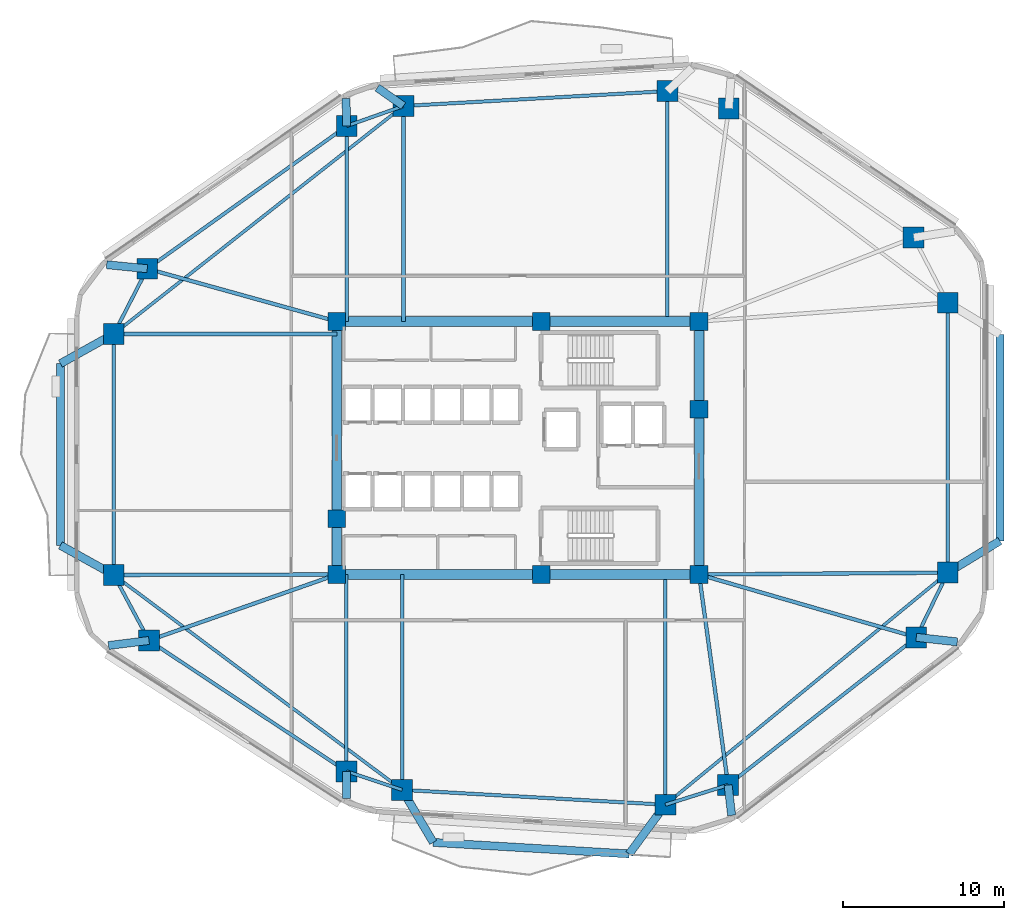
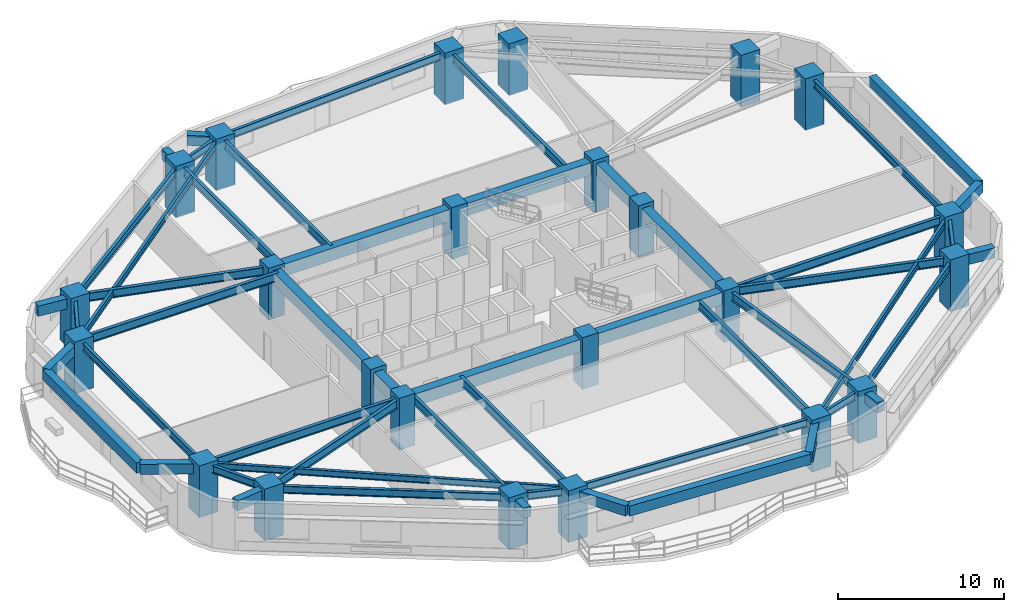
# One storey, part 1 of 9: 52 beams, 24 columns.
"""IFC4 building model written with IfcOpenShell, lengths in metres."""

from ifc_helpers import new_model, si_unit, direction, frame, origin, origin_2d, place, context, subcontext, project, spatial, rectangle, i_section, extrude, material, material_profile, profile_set, type_object, element, save


model = new_model("IFC4")

# Units and contexts
model_context = context("Model", 3, precision=1e-05, world=origin(), true_north=direction((0.0, 1.0)))
body_context = subcontext(model_context, "Body", "Model", "MODEL_VIEW")
ifc_project = project(units=[si_unit("LENGTHUNIT", "METRE"), si_unit("AREAUNIT", "SQUARE_METRE"), si_unit("VOLUMEUNIT", "CUBIC_METRE"), si_unit("PLANEANGLEUNIT", "RADIAN"), si_unit("MASSUNIT", "GRAM", prefix="KILO")], contexts=[model_context])

# Site, building, storey
site_placement = place(None, origin())
site = spatial("IfcSite", under=ifc_project, at=site_placement, CompositionType="ELEMENT")
building_placement = place(site_placement, origin())
building = spatial("IfcBuilding", under=site, at=building_placement, Name="Zulverin Broadcast Headquarters", CompositionType="ELEMENT")
storey_placement = place(building_placement, frame((0.0, 0.0, 74.39990234375)))
storey = spatial("IfcBuildingStorey", under=building, at=storey_placement, Name="L18", CompositionType="ELEMENT", Elevation=74.39990234375)

# Columns
ifc_material_1 = material(Name="Concrete C60/75", Category="concrete")
ifc_material_profile_1 = material_profile(ifc_material_1, rectangle(XDim=1.300048828125, YDim=1.300048828125, at=origin_2d()), Name="Concrete C60/75", Category="concrete")
ifc_profile_set_1 = profile_set([ifc_material_profile_1], Name="Concrete C60/75")
column_type_1 = type_object("IfcColumnType", Name="COL-RC-1300", PredefinedType="COLUMN", material=ifc_profile_set_1)
for number, where, z_axis, x_axis, name in (
    (1, (29.79638671875, 3.922119140625, 0.0), (0.0, 0.0, 1.0), (1.0, 0.0, 0.0), "L18 Perimeter Column T01"),
    (2, (46.175048828125, 2.997802734375, 0.0), (0.0, 0.0, 1.0), (1.0, 0.0, 0.0), "L18 Perimeter Column T02"),
    (3, (50.08056640625, 4.22509765625, 0.0), (0.0, 0.0, 1.0), (1.0, 0.0, 0.0), "L18 Perimeter Column T03"),
    (4, (61.79296875, 13.416259765625, 0.0), (0.0, 0.0, 1.0), (1.0, 0.0, 0.0), "L18 Perimeter Column T04"),
    (5, (63.75, 17.439697265625, 0.0), (0.0, 0.0, 1.0), (1.0, 0.0, 0.0), "L18 Perimeter Column T05"),
    (6, (63.75, 34.235107421875, 0.0), (0.0, 0.0, 1.0), (1.0, 0.0, 0.0), "L18 Perimeter Column T06"),
    (7, (61.630126953125, 38.298583984375, 0.0), (0.0, 0.0, 1.0), (1.0, 0.0, 0.0), "L18 Perimeter Column T07"),
    (8, (50.121826171875, 46.325927734375, 0.0), (0.0, 0.0, 1.0), (1.0, 0.0, 0.0), "L18 Perimeter Column T08"),
    (9, (46.30224609375, 47.4091796875, 0.0), (0.0, 0.0, 1.0), (1.0, 0.0, 0.0), "L18 Perimeter Column T09"),
    (10, (29.873779296875, 46.482177734375, 0.0), (0.0, 0.0, 1.0), (1.0, 0.0, 0.0), "L18 Perimeter Column T10"),
    (11, (26.344482421875, 45.23828125, 0.0), (0.0, 0.0, 1.0), (1.0, 0.0, 0.0), "L18 Perimeter Column T11"),
    (12, (13.934326171875, 36.353759765625, 0.0), (0.0, 0.0, 1.0), (1.0, 0.0, 0.0), "L18 Perimeter Column T12"),
    (13, (11.85009765625, 32.298095703125, 0.0), (0.0, 0.0, 1.0), (1.0, 0.0, 0.0), "L18 Perimeter Column T13"),
    (14, (11.85009765625, 17.297607421875, 0.0), (0.0, 0.0, 1.0), (1.0, 0.0, 0.0), "L18 Perimeter Column T14"),
    (15, (14.0390625, 13.219970703125, 0.0), (0.0, 0.0, 1.0), (1.0, 0.0, 0.0), "L18 Perimeter Column T15"),
    (16, (26.3251953125, 5.075927734375, 0.0), (0.0, 0.0, 1.0), (1.0, 0.0, 0.0), "L18 Perimeter Column T16"),
):
    element("IfcColumn", number, at=place(storey_placement, frame(where, z_axis=z_axis, x_axis=x_axis)), inside=storey, type_object=column_type_1, Name=name, PredefinedType="COLUMN", context=body_context, shape_type="SweptSolid", body=[
        extrude(rectangle(XDim=1.300048828125, YDim=1.300048828125, at=origin_2d()), origin(), (0.0, 0.0, 1.0), 3.800048828125),
    ])
ifc_material_profile_2 = material_profile(ifc_material_1, rectangle(XDim=1.10009765625, YDim=1.10009765625, at=origin_2d()), Name="Concrete C60/75", Category="concrete")
ifc_profile_set_2 = profile_set([ifc_material_profile_2], Name="Concrete C60/75")
column_type_2 = type_object("IfcColumnType", Name="PIL-RC-1100", PredefinedType="PILASTER", material=ifc_profile_set_2)
for number, where, z_axis, x_axis, name in (
    (17, (25.72509765625, 17.324951171875, 0.0), (0.0, 0.0, 1.0), (1.0, 0.0, 0.0), "L18 Core Pilaster K01"),
    (18, (38.449951171875, 17.324951171875, 0.0), (0.0, 0.0, 1.0), (1.0, 0.0, 0.0), "L18 Core Pilaster K02"),
    (19, (48.27490234375, 17.324951171875, 0.0), (0.0, 0.0, 1.0), (1.0, 0.0, 0.0), "L18 Core Pilaster K03"),
    (20, (48.27490234375, 27.6201171875, 0.0), (0.0, 0.0, 1.0), (1.0, 0.0, 0.0), "L18 Core Pilaster K04"),
    (21, (48.27490234375, 33.074951171875, 0.0), (0.0, 0.0, 1.0), (1.0, 0.0, 0.0), "L18 Core Pilaster K05"),
    (22, (38.449951171875, 33.074951171875, 0.0), (0.0, 0.0, 1.0), (1.0, 0.0, 0.0), "L18 Core Pilaster K06"),
    (23, (25.72509765625, 33.074951171875, 0.0), (0.0, 0.0, 1.0), (1.0, 0.0, 0.0), "L18 Core Pilaster K07"),
    (24, (25.72509765625, 20.800048828125, 0.0), (0.0, 0.0, 1.0), (1.0, 0.0, 0.0), "L18 Core Pilaster K08"),
):
    element("IfcColumn", number, at=place(storey_placement, frame(where, z_axis=z_axis, x_axis=x_axis)), inside=storey, type_object=column_type_2, Name=name, PredefinedType="PILASTER", context=body_context, shape_type="SweptSolid", body=[
        extrude(rectangle(XDim=1.10009765625, YDim=1.10009765625, at=origin_2d()), origin(), (0.0, 0.0, 1.0), 3.800048828125),
    ])

# Beams
ifc_material_profile_3 = material_profile(ifc_material_1, rectangle(XDim=0.60009765625, YDim=0.89990234375, at=origin_2d()), Name="Concrete C60/75", Category="concrete")
ifc_profile_set_3 = profile_set([ifc_material_profile_3], Name="Concrete C60/75")
beam_type_1 = type_object("IfcBeamType", Name="BM-CB-600x900", PredefinedType="LINTEL", material=ifc_profile_set_3)
beam_1_placement = place(storey_placement, frame((25.72509765625, 17.324951171875, 3.0751953125), z_axis=(1.0, 0.0, 0.0), x_axis=(0.0, 1.0, 0.0)))
element("IfcBeam", 25, at=beam_1_placement, inside=storey, type_object=beam_type_1, Name="L18 Core Coupling Girder K01-K02", PredefinedType="LINTEL", context=body_context, shape_type="SweptSolid", body=[
    extrude(rectangle(XDim=0.60009765625, YDim=0.89990234375, at=origin_2d()), origin(), (0.0, 0.0, 1.0), 12.724853515625),
])
beam_2_placement = place(storey_placement, frame((38.449951171875, 17.324951171875, 3.0751953125), z_axis=(1.0, 0.0, 0.0), x_axis=(0.0, 1.0, 0.0)))
element("IfcBeam", 26, at=beam_2_placement, inside=storey, type_object=beam_type_1, Name="L18 Core Coupling Girder K02-K03", PredefinedType="LINTEL", context=body_context, shape_type="SweptSolid", body=[
    extrude(rectangle(XDim=0.60009765625, YDim=0.89990234375, at=origin_2d()), origin(), (0.0, 0.0, 1.0), 9.824951171875),
])
beam_3_placement = place(storey_placement, frame((48.27490234375, 17.324951171875, 3.0751953125), z_axis=(0.0, 1.0, 0.0), x_axis=(-1.0, 0.0, 0.0)))
element("IfcBeam", 27, at=beam_3_placement, inside=storey, type_object=beam_type_1, Name="L18 Core Coupling Girder K03-K04", PredefinedType="LINTEL", context=body_context, shape_type="SweptSolid", body=[
    extrude(rectangle(XDim=0.60009765625, YDim=0.89990234375, at=origin_2d()), origin(), (0.0, 0.0, 1.0), 10.295166015625),
])
beam_4_placement = place(storey_placement, frame((48.27490234375, 27.6201171875, 3.0751953125), z_axis=(0.0, 1.0, 0.0), x_axis=(-1.0, 0.0, 0.0)))
element("IfcBeam", 28, at=beam_4_placement, inside=storey, type_object=beam_type_1, Name="L18 Core Coupling Girder K04-K05", PredefinedType="LINTEL", context=body_context, shape_type="SweptSolid", body=[
    extrude(rectangle(XDim=0.60009765625, YDim=0.89990234375, at=origin_2d()), origin(), (0.0, 0.0, 1.0), 5.454833984375),
])
beam_5_placement = place(storey_placement, frame((48.27490234375, 33.074951171875, 3.0751953125), z_axis=(-1.0, 0.0, 0.0), x_axis=(0.0, -1.0, 0.0)))
element("IfcBeam", 29, at=beam_5_placement, inside=storey, type_object=beam_type_1, Name="L18 Core Coupling Girder K05-K06", PredefinedType="LINTEL", context=body_context, shape_type="SweptSolid", body=[
    extrude(rectangle(XDim=0.60009765625, YDim=0.89990234375, at=origin_2d()), origin(), (0.0, 0.0, 1.0), 9.824951171875),
])
beam_6_placement = place(storey_placement, frame((38.449951171875, 33.074951171875, 3.0751953125), z_axis=(-1.0, 0.0, 0.0), x_axis=(0.0, -1.0, 0.0)))
element("IfcBeam", 30, at=beam_6_placement, inside=storey, type_object=beam_type_1, Name="L18 Core Coupling Girder K06-K07", PredefinedType="LINTEL", context=body_context, shape_type="SweptSolid", body=[
    extrude(rectangle(XDim=0.60009765625, YDim=0.89990234375, at=origin_2d()), origin(), (0.0, 0.0, 1.0), 12.724853515625),
])
beam_7_placement = place(storey_placement, frame((25.72509765625, 33.074951171875, 3.0751953125), z_axis=(0.0, -1.0, 0.0), x_axis=(1.0, 0.0, 0.0)))
element("IfcBeam", 31, at=beam_7_placement, inside=storey, type_object=beam_type_1, Name="L18 Core Coupling Girder K07-K08", PredefinedType="LINTEL", context=body_context, shape_type="SweptSolid", body=[
    extrude(rectangle(XDim=0.60009765625, YDim=0.89990234375, at=origin_2d()), origin(), (0.0, 0.0, 1.0), 12.27490234375),
])
beam_8_placement = place(storey_placement, frame((25.72509765625, 20.800048828125, 3.0751953125), z_axis=(0.0, -1.0, 0.0), x_axis=(1.0, 0.0, 0.0)))
element("IfcBeam", 32, at=beam_8_placement, inside=storey, type_object=beam_type_1, Name="L18 Core Coupling Girder K08-K01", PredefinedType="LINTEL", context=body_context, shape_type="SweptSolid", body=[
    extrude(rectangle(XDim=0.60009765625, YDim=0.89990234375, at=origin_2d()), origin(), (0.0, 0.0, 1.0), 3.47509765625),
])
ifc_material_2 = material(Name="Concrete C40/50", Category="concrete")
ifc_material_profile_4 = material_profile(ifc_material_2, rectangle(XDim=0.5, YDim=0.75, at=origin_2d()), Name="Concrete C40/50", Category="concrete")
ifc_profile_set_4 = profile_set([ifc_material_profile_4], Name="Concrete C40/50")
beam_type_2 = type_object("IfcBeamType", Name="BM-RC-500x750", PredefinedType="BEAM", material=ifc_profile_set_4)
beam_9_placement = place(storey_placement, frame((50.08056640625, 4.22509765625, 3.150146484375), z_axis=(0.115916621896, -0.99325894749, 0.0), x_axis=(0.99325894749, 0.115916621896, 0.0)))
element("IfcBeam", 33, at=beam_9_placement, inside=storey, type_object=beam_type_2, Name="L19 Plate Overhang Back-Spanned Beam OVR-03", PredefinedType="BEAM", context=body_context, shape_type="SweptSolid", body=[
    extrude(rectangle(XDim=0.5, YDim=0.75, at=origin_2d()), origin(), (0.0, 0.0, 1.0), 1.899658203125),
])
beam_10_placement = place(storey_placement, frame((61.79296875, 13.416259765625, 3.150146484375), z_axis=(0.993797661948, -0.111203449166, 0.0), x_axis=(0.111203449166, 0.993797661948, 0.0)))
element("IfcBeam", 34, at=beam_10_placement, inside=storey, type_object=beam_type_2, Name="L19 Plate Overhang Back-Spanned Beam OVR-04", PredefinedType="BEAM", context=body_context, shape_type="SweptSolid", body=[
    extrude(rectangle(XDim=0.5, YDim=0.75, at=origin_2d()), origin(), (0.0, 0.0, 1.0), 2.568603515625),
])
beam_11_placement = place(storey_placement, frame((29.873779296875, 46.482177734375, 3.150146484375), z_axis=(-0.817148773783, 0.576426822333, 0.0), x_axis=(-0.576426822333, -0.817148773783, 0.0)))
element("IfcBeam", 35, at=beam_11_placement, inside=storey, type_object=beam_type_2, Name="L19 Plate Overhang Back-Spanned Beam OVR-10", PredefinedType="BEAM", context=body_context, shape_type="SweptSolid", body=[
    extrude(rectangle(XDim=0.5, YDim=0.75, at=origin_2d()), origin(), (0.0, 0.0, 1.0), 1.981689453125),
])
beam_12_placement = place(storey_placement, frame((26.344482421875, 45.23828125, 3.150146484375), z_axis=(-0.025024345209, 0.999686842039, 0.0), x_axis=(-0.999686842039, -0.025024345209, 0.0)))
element("IfcBeam", 36, at=beam_12_placement, inside=storey, type_object=beam_type_2, Name="L19 Plate Overhang Back-Spanned Beam OVR-11", PredefinedType="BEAM", context=body_context, shape_type="SweptSolid", body=[
    extrude(rectangle(XDim=0.5, YDim=0.75, at=origin_2d()), origin(), (0.0, 0.0, 1.0), 1.707275390625),
])
beam_13_placement = place(storey_placement, frame((13.934326171875, 36.353759765625, 3.150146484375), z_axis=(-0.995008621602, 0.09978899207, 0.0), x_axis=(-0.09978899207, -0.995008621602, 0.0)))
element("IfcBeam", 37, at=beam_13_placement, inside=storey, type_object=beam_type_2, Name="L19 Plate Overhang Back-Spanned Beam OVR-12", PredefinedType="BEAM", context=body_context, shape_type="SweptSolid", body=[
    extrude(rectangle(XDim=0.5, YDim=0.75, at=origin_2d()), origin(), (0.0, 0.0, 1.0), 2.5419921875),
])
beam_14_placement = place(storey_placement, frame((14.0390625, 13.219970703125, 3.150146484375), z_axis=(-0.992258640565, -0.124188526941, 0.0), x_axis=(0.124188526941, -0.992258640565, 0.0)))
element("IfcBeam", 38, at=beam_14_placement, inside=storey, type_object=beam_type_2, Name="L19 Plate Overhang Back-Spanned Beam OVR-15", PredefinedType="BEAM", context=body_context, shape_type="SweptSolid", body=[
    extrude(rectangle(XDim=0.5, YDim=0.75, at=origin_2d()), origin(), (0.0, 0.0, 1.0), 2.5400390625),
])
beam_15_placement = place(storey_placement, frame((26.3251953125, 5.075927734375, 3.150146484375), z_axis=(0.006204786761, -0.999980750125, 0.0), x_axis=(0.999980750125, 0.006204786761, 0.0)))
element("IfcBeam", 39, at=beam_15_placement, inside=storey, type_object=beam_type_2, Name="L19 Plate Overhang Back-Spanned Beam OVR-16", PredefinedType="BEAM", context=body_context, shape_type="SweptSolid", body=[
    extrude(rectangle(XDim=0.5, YDim=0.75, at=origin_2d()), origin(), (0.0, 0.0, 1.0), 1.69189453125),
])
beam_16_placement = place(storey_placement, frame((63.75, 17.439697265625, 3.150146484375), z_axis=(0.853769010652, 0.520651972483, 0.0), x_axis=(-0.520651972483, 0.853769010652, 0.0)))
element("IfcBeam", 40, at=beam_16_placement, inside=storey, type_object=beam_type_2, Name="L19 Balcony Column-Framed Cantilever BAL_E-1", PredefinedType="BEAM", context=body_context, shape_type="SweptSolid", body=[
    extrude(rectangle(XDim=0.5, YDim=0.75, at=origin_2d()), origin(), (0.0, 0.0, 1.0), 3.800048828125),
])
beam_17_placement = place(storey_placement, frame((66.994384765625, 19.418212890625, 3.150146484375), z_axis=(0.000531985561, 0.999999858496, 0.0), x_axis=(-0.999999858496, 0.000531985561, 0.0)))
element("IfcBeam", 41, at=beam_17_placement, inside=storey, type_object=beam_type_2, Name="L19 Balcony Outer Edge Trimmer Beam BAL_E", PredefinedType="BEAM", context=body_context, shape_type="SweptSolid", body=[
    extrude(rectangle(XDim=0.5, YDim=0.75, at=origin_2d()), origin(), (0.0, 0.0, 1.0), 12.849853515625),
])
beam_18_placement = place(storey_placement, frame((29.79638671875, 3.922119140625, 3.150146484375), z_axis=(0.509317980618, -0.860578407014, 0.0), x_axis=(0.860578407014, 0.509317980618, 0.0)))
element("IfcBeam", 42, at=beam_18_placement, inside=storey, type_object=beam_type_2, Name="L19 Balcony Column-Framed Cantilever BAL_S-1", PredefinedType="BEAM", context=body_context, shape_type="SweptSolid", body=[
    extrude(rectangle(XDim=0.5, YDim=0.75, at=origin_2d()), origin(), (0.0, 0.0, 1.0), 3.7998046875),
])
beam_19_placement = place(storey_placement, frame((46.175048828125, 2.997802734375, 3.150146484375), z_axis=(-0.592479980496, -0.805585174088, 0.0), x_axis=(0.805585174088, -0.592479980496, 0.0)))
element("IfcBeam", 43, at=beam_19_placement, inside=storey, type_object=beam_type_2, Name="L19 Balcony Column-Framed Cantilever BAL_S-2", PredefinedType="BEAM", context=body_context, shape_type="SweptSolid", body=[
    extrude(rectangle(XDim=0.5, YDim=0.75, at=origin_2d()), origin(), (0.0, 0.0, 1.0), 3.800048828125),
])
beam_20_placement = place(storey_placement, frame((31.731689453125, 0.652099609375, 3.150146484375), z_axis=(0.998282016209, -0.058591945803, 0.0), x_axis=(0.058591945803, 0.998282016209, 0.0)))
element("IfcBeam", 44, at=beam_20_placement, inside=storey, type_object=beam_type_2, Name="L19 Balcony Outer Edge Trimmer Beam BAL_S", PredefinedType="BEAM", context=body_context, shape_type="SweptSolid", body=[
    extrude(rectangle(XDim=0.5, YDim=0.75, at=origin_2d()), origin(), (0.0, 0.0, 1.0), 12.212890625),
])
beam_21_placement = place(storey_placement, frame((11.85009765625, 32.298095703125, 3.150146484375), z_axis=(-0.873763019306, -0.486351915893, 0.0), x_axis=(0.486351915893, -0.873763019306, 0.0)))
element("IfcBeam", 45, at=beam_21_placement, inside=storey, type_object=beam_type_2, Name="L19 Balcony Column-Framed Cantilever BAL_W-1", PredefinedType="BEAM", context=body_context, shape_type="SweptSolid", body=[
    extrude(rectangle(XDim=0.5, YDim=0.75, at=origin_2d()), origin(), (0.0, 0.0, 1.0), 3.800048828125),
])
beam_22_placement = place(storey_placement, frame((11.85009765625, 17.297607421875, 3.150146484375), z_axis=(-0.874363278793, 0.485271940975, 0.0), x_axis=(-0.485271940975, -0.874363278793, 0.0)))
element("IfcBeam", 46, at=beam_22_placement, inside=storey, type_object=beam_type_2, Name="L19 Balcony Column-Framed Cantilever BAL_W-2", PredefinedType="BEAM", context=body_context, shape_type="SweptSolid", body=[
    extrude(rectangle(XDim=0.5, YDim=0.75, at=origin_2d()), origin(), (0.0, 0.0, 1.0), 3.7998046875),
])
beam_23_placement = place(storey_placement, frame((8.52978515625, 30.449951171875, 3.150146484375), z_axis=(-0.000194304709, -0.999999981123, 0.0), x_axis=(0.999999981123, -0.000194304709, 0.0)))
element("IfcBeam", 47, at=beam_23_placement, inside=storey, type_object=beam_type_2, Name="L19 Balcony Outer Edge Trimmer Beam BAL_W", PredefinedType="BEAM", context=body_context, shape_type="SweptSolid", body=[
    extrude(rectangle(XDim=0.5, YDim=0.75, at=origin_2d()), origin(), (0.0, 0.0, 1.0), 11.308349609375),
])
ifc_material_3 = material(Name="Structural steel S355JR", Category="steel")
ifc_material_profile_5 = material_profile(ifc_material_3, i_section(OverallWidth=0.19287109375, OverallDepth=0.46728515625, WebThickness=0.011474609375, FlangeThickness=0.01953125, at=origin_2d()), Name="Structural steel S355JR", Category="steel")
ifc_profile_set_5 = profile_set([ifc_material_profile_5], Name="Structural steel S355JR")
beam_type_3 = type_object("IfcBeamType", Name="BM-UB-457", PredefinedType="JOIST", material=ifc_profile_set_5)
beam_24_placement = place(storey_placement, frame((46.175048828125, 2.997802734375, 3.29150390625), z_axis=(0.772611370623, 0.634879256224, 0.0), x_axis=(-0.634879256224, 0.772611370623, 0.0)))
element("IfcBeam", 48, at=beam_24_placement, inside=storey, type_object=beam_type_3, Name="L18 Chordal Floor Joist J-01", PredefinedType="JOIST", context=body_context, shape_type="SweptSolid", body=[
    extrude(i_section(OverallWidth=0.19287109375, OverallDepth=0.46728515625, WebThickness=0.011474609375, FlangeThickness=0.01953125, at=origin_2d()), origin(), (0.0, 0.0, 1.0), 22.74755859375),
])
beam_25_placement = place(storey_placement, frame((29.873779296875, 46.482177734375, 3.29150390625), z_axis=(-0.78583902739, -0.618431098047, 0.0), x_axis=(0.618431098047, -0.78583902739, 0.0)))
element("IfcBeam", 49, at=beam_25_placement, inside=storey, type_object=beam_type_3, Name="L18 Chordal Floor Joist J-03", PredefinedType="JOIST", context=body_context, shape_type="SweptSolid", body=[
    extrude(i_section(OverallWidth=0.19287109375, OverallDepth=0.46728515625, WebThickness=0.011474609375, FlangeThickness=0.01953125, at=origin_2d()), origin(), (0.0, 0.0, 1.0), 22.935546875),
])
beam_26_placement = place(storey_placement, frame((11.85009765625, 17.297607421875, 3.29150390625), z_axis=(0.801802688634, -0.59758886243, 0.0), x_axis=(0.59758886243, 0.801802688634, 0.0)))
element("IfcBeam", 50, at=beam_26_placement, inside=storey, type_object=beam_type_3, Name="L18 Chordal Floor Joist J-04", PredefinedType="JOIST", context=body_context, shape_type="SweptSolid", body=[
    extrude(i_section(OverallWidth=0.19287109375, OverallDepth=0.46728515625, WebThickness=0.011474609375, FlangeThickness=0.01953125, at=origin_2d()), origin(), (0.0, 0.0, 1.0), 22.38232421875),
])
ifc_material_profile_6 = material_profile(ifc_material_3, i_section(OverallWidth=0.2119140625, OverallDepth=0.54443359375, WebThickness=0.0126953125, FlangeThickness=0.021240234375, at=origin_2d()), Name="Structural steel S355JR", Category="steel")
ifc_profile_set_6 = profile_set([ifc_material_profile_6], Name="Structural steel S355JR")
beam_type_4 = type_object("IfcBeamType", Name="BM-UB-533", PredefinedType="SPANDREL", material=ifc_profile_set_6)
beam_27_placement = place(storey_placement, frame((29.79638671875, 3.922119140625, 3.252685546875), z_axis=(0.998411385104, -0.056344530297, 0.0), x_axis=(0.056344530297, 0.998411385104, 0.0)))
element("IfcBeam", 51, at=beam_27_placement, inside=storey, type_object=beam_type_4, Name="L18 Perimeter Spandrel Beam SP-01", PredefinedType="SPANDREL", context=body_context, shape_type="SweptSolid", body=[
    extrude(i_section(OverallWidth=0.2119140625, OverallDepth=0.54443359375, WebThickness=0.0126953125, FlangeThickness=0.021240234375, at=origin_2d()), origin(), (0.0, 0.0, 1.0), 16.40478515625),
])
beam_28_placement = place(storey_placement, frame((46.175048828125, 2.997802734375, 3.252685546875), z_axis=(0.954004438448, 0.299792480595, 0.0), x_axis=(-0.299792480595, 0.954004438448, 0.0)))
element("IfcBeam", 52, at=beam_28_placement, inside=storey, type_object=beam_type_4, Name="L18 Perimeter Spandrel Beam SP-02", PredefinedType="SPANDREL", context=body_context, shape_type="SweptSolid", body=[
    extrude(i_section(OverallWidth=0.2119140625, OverallDepth=0.54443359375, WebThickness=0.0126953125, FlangeThickness=0.021240234375, at=origin_2d()), origin(), (0.0, 0.0, 1.0), 4.09375),
])
beam_29_placement = place(storey_placement, frame((50.08056640625, 4.22509765625, 3.252685546875), z_axis=(0.786691476208, 0.617346354376, 0.0), x_axis=(-0.617346354376, 0.786691476208, 0.0)))
element("IfcBeam", 53, at=beam_29_placement, inside=storey, type_object=beam_type_4, Name="L18 Perimeter Spandrel Beam SP-03", PredefinedType="SPANDREL", context=body_context, shape_type="SweptSolid", body=[
    extrude(i_section(OverallWidth=0.2119140625, OverallDepth=0.54443359375, WebThickness=0.0126953125, FlangeThickness=0.021240234375, at=origin_2d()), origin(), (0.0, 0.0, 1.0), 14.88818359375),
])
beam_30_placement = place(storey_placement, frame((61.79296875, 13.416259765625, 3.252685546875), z_axis=(0.437408475872, 0.899262934428, 0.0), x_axis=(-0.899262934428, 0.437408475872, 0.0)))
element("IfcBeam", 54, at=beam_30_placement, inside=storey, type_object=beam_type_4, Name="L18 Perimeter Spandrel Beam SP-04", PredefinedType="SPANDREL", context=body_context, shape_type="SweptSolid", body=[
    extrude(i_section(OverallWidth=0.2119140625, OverallDepth=0.54443359375, WebThickness=0.0126953125, FlangeThickness=0.021240234375, at=origin_2d()), origin(), (0.0, 0.0, 1.0), 4.47412109375),
])
beam_31_placement = place(storey_placement, frame((63.75, 17.439697265625, 3.252685546875), z_axis=(0.0, 1.0, 0.0), x_axis=(-1.0, 0.0, 0.0)))
element("IfcBeam", 55, at=beam_31_placement, inside=storey, type_object=beam_type_4, Name="L18 Perimeter Spandrel Beam SP-05", PredefinedType="SPANDREL", context=body_context, shape_type="SweptSolid", body=[
    extrude(i_section(OverallWidth=0.2119140625, OverallDepth=0.54443359375, WebThickness=0.0126953125, FlangeThickness=0.021240234375, at=origin_2d()), origin(), (0.0, 0.0, 1.0), 16.79541015625),
])
beam_32_placement = place(storey_placement, frame((46.30224609375, 47.4091796875, 3.252685546875), z_axis=(-0.998411812904, -0.056336949274, 0.0), x_axis=(0.056336949274, -0.998411812904, 0.0)))
element("IfcBeam", 56, at=beam_32_placement, inside=storey, type_object=beam_type_4, Name="L18 Perimeter Spandrel Beam SP-09", PredefinedType="SPANDREL", context=body_context, shape_type="SweptSolid", body=[
    extrude(i_section(OverallWidth=0.2119140625, OverallDepth=0.54443359375, WebThickness=0.0126953125, FlangeThickness=0.021240234375, at=origin_2d()), origin(), (0.0, 0.0, 1.0), 16.45458984375),
])
beam_33_placement = place(storey_placement, frame((29.873779296875, 46.482177734375, 3.252685546875), z_axis=(-0.943135983398, -0.332407155189, 0.0), x_axis=(0.332407155189, -0.943135983398, 0.0)))
element("IfcBeam", 57, at=beam_33_placement, inside=storey, type_object=beam_type_4, Name="L18 Perimeter Spandrel Beam SP-10", PredefinedType="SPANDREL", context=body_context, shape_type="SweptSolid", body=[
    extrude(i_section(OverallWidth=0.2119140625, OverallDepth=0.54443359375, WebThickness=0.0126953125, FlangeThickness=0.021240234375, at=origin_2d()), origin(), (0.0, 0.0, 1.0), 3.7421875),
])
beam_34_placement = place(storey_placement, frame((26.344482421875, 45.23828125, 3.252685546875), z_axis=(-0.813109374453, -0.582110938891, 0.0), x_axis=(0.582110938891, -0.813109374453, 0.0)))
element("IfcBeam", 58, at=beam_34_placement, inside=storey, type_object=beam_type_4, Name="L18 Perimeter Spandrel Beam SP-11", PredefinedType="SPANDREL", context=body_context, shape_type="SweptSolid", body=[
    extrude(i_section(OverallWidth=0.2119140625, OverallDepth=0.54443359375, WebThickness=0.0126953125, FlangeThickness=0.021240234375, at=origin_2d()), origin(), (0.0, 0.0, 1.0), 15.2626953125),
])
beam_35_placement = place(storey_placement, frame((13.934326171875, 36.353759765625, 3.252685546875), z_axis=(-0.457080631948, -0.889425261558, 0.0), x_axis=(0.889425261558, -0.457080631948, 0.0)))
element("IfcBeam", 59, at=beam_35_placement, inside=storey, type_object=beam_type_4, Name="L18 Perimeter Spandrel Beam SP-12", PredefinedType="SPANDREL", context=body_context, shape_type="SweptSolid", body=[
    extrude(i_section(OverallWidth=0.2119140625, OverallDepth=0.54443359375, WebThickness=0.0126953125, FlangeThickness=0.021240234375, at=origin_2d()), origin(), (0.0, 0.0, 1.0), 4.559814453125),
])
beam_36_placement = place(storey_placement, frame((11.85009765625, 32.298095703125, 3.252685546875), z_axis=(0.0, -1.0, 0.0), x_axis=(1.0, 0.0, 0.0)))
element("IfcBeam", 60, at=beam_36_placement, inside=storey, type_object=beam_type_4, Name="L18 Perimeter Spandrel Beam SP-13", PredefinedType="SPANDREL", context=body_context, shape_type="SweptSolid", body=[
    extrude(i_section(OverallWidth=0.2119140625, OverallDepth=0.54443359375, WebThickness=0.0126953125, FlangeThickness=0.021240234375, at=origin_2d()), origin(), (0.0, 0.0, 1.0), 15.00048828125),
])
beam_37_placement = place(storey_placement, frame((11.85009765625, 17.297607421875, 3.252685546875), z_axis=(0.472979536362, -0.881073412482, 0.0), x_axis=(0.881073412482, 0.472979536362, 0.0)))
element("IfcBeam", 61, at=beam_37_placement, inside=storey, type_object=beam_type_4, Name="L18 Perimeter Spandrel Beam SP-14", PredefinedType="SPANDREL", context=body_context, shape_type="SweptSolid", body=[
    extrude(i_section(OverallWidth=0.2119140625, OverallDepth=0.54443359375, WebThickness=0.0126953125, FlangeThickness=0.021240234375, at=origin_2d()), origin(), (0.0, 0.0, 1.0), 4.6279296875),
])
beam_38_placement = place(storey_placement, frame((14.0390625, 13.219970703125, 3.252685546875), z_axis=(0.833510030956, -0.552504324232, 0.0), x_axis=(0.552504324232, 0.833510030956, 0.0)))
element("IfcBeam", 62, at=beam_38_placement, inside=storey, type_object=beam_type_4, Name="L18 Perimeter Spandrel Beam SP-15", PredefinedType="SPANDREL", context=body_context, shape_type="SweptSolid", body=[
    extrude(i_section(OverallWidth=0.2119140625, OverallDepth=0.54443359375, WebThickness=0.0126953125, FlangeThickness=0.021240234375, at=origin_2d()), origin(), (0.0, 0.0, 1.0), 14.740234375),
])
beam_39_placement = place(storey_placement, frame((26.3251953125, 5.075927734375, 3.252685546875), z_axis=(0.948949931395, -0.315426739047, 0.0), x_axis=(0.315426739047, 0.948949931395, 0.0)))
element("IfcBeam", 63, at=beam_39_placement, inside=storey, type_object=beam_type_4, Name="L18 Perimeter Spandrel Beam SP-16", PredefinedType="SPANDREL", context=body_context, shape_type="SweptSolid", body=[
    extrude(i_section(OverallWidth=0.2119140625, OverallDepth=0.54443359375, WebThickness=0.0126953125, FlangeThickness=0.021240234375, at=origin_2d()), origin(), (0.0, 0.0, 1.0), 3.657958984375),
])
ifc_material_profile_7 = material_profile(ifc_material_3, i_section(OverallWidth=0.230224609375, OverallDepth=0.6171875, WebThickness=0.01318359375, FlangeThickness=0.022216796875, at=origin_2d()), Name="Structural steel S355JR", Category="steel")
ifc_profile_set_7 = profile_set([ifc_material_profile_7], Name="Structural steel S355JR")
beam_type_5 = type_object("IfcBeamType", Name="BM-UB-610", PredefinedType="BEAM", material=ifc_profile_set_7)
beam_40_placement = place(storey_placement, frame((29.79638671875, 17.324951171875, 3.216552734375), z_axis=(0.0, -1.0, 0.0), x_axis=(1.0, 0.0, 0.0)))
element("IfcBeam", 64, at=beam_40_placement, inside=storey, type_object=beam_type_5, Name="L18 Radial Primary Floor Beam RB-01", PredefinedType="BEAM", context=body_context, shape_type="SweptSolid", body=[
    extrude(i_section(OverallWidth=0.230224609375, OverallDepth=0.6171875, WebThickness=0.01318359375, FlangeThickness=0.022216796875, at=origin_2d()), origin(), (0.0, 0.0, 1.0), 13.40283203125),
])
beam_41_placement = place(storey_placement, frame((46.175048828125, 17.324951171875, 3.216552734375), z_axis=(0.0, -1.0, 0.0), x_axis=(1.0, 0.0, 0.0)))
element("IfcBeam", 65, at=beam_41_placement, inside=storey, type_object=beam_type_5, Name="L18 Radial Primary Floor Beam RB-02", PredefinedType="BEAM", context=body_context, shape_type="SweptSolid", body=[
    extrude(i_section(OverallWidth=0.230224609375, OverallDepth=0.6171875, WebThickness=0.01318359375, FlangeThickness=0.022216796875, at=origin_2d()), origin(), (0.0, 0.0, 1.0), 14.3271484375),
])
beam_42_placement = place(storey_placement, frame((48.27490234375, 17.324951171875, 3.216552734375), z_axis=(0.136547433081, -0.990633533916, 0.0), x_axis=(0.990633533916, 0.136547433081, 0.0)))
element("IfcBeam", 66, at=beam_42_placement, inside=storey, type_object=beam_type_5, Name="L18 Radial Primary Floor Beam RB-03", PredefinedType="BEAM", context=body_context, shape_type="SweptSolid", body=[
    extrude(i_section(OverallWidth=0.230224609375, OverallDepth=0.6171875, WebThickness=0.01318359375, FlangeThickness=0.022216796875, at=origin_2d()), origin(), (0.0, 0.0, 1.0), 13.2236328125),
])
beam_43_placement = place(storey_placement, frame((48.27490234375, 17.324951171875, 3.216552734375), z_axis=(0.960648363311, -0.277767388416, 0.0), x_axis=(0.277767388416, 0.960648363311, 0.0)))
element("IfcBeam", 67, at=beam_43_placement, inside=storey, type_object=beam_type_5, Name="L18 Radial Primary Floor Beam RB-04", PredefinedType="BEAM", context=body_context, shape_type="SweptSolid", body=[
    extrude(i_section(OverallWidth=0.230224609375, OverallDepth=0.6171875, WebThickness=0.01318359375, FlangeThickness=0.022216796875, at=origin_2d()), origin(), (0.0, 0.0, 1.0), 14.07177734375),
])
beam_44_placement = place(storey_placement, frame((48.27490234375, 17.324951171875, 3.216552734375), z_axis=(0.999972510862, 0.007414682739, 0.0), x_axis=(-0.007414682739, 0.999972510862, 0.0)))
element("IfcBeam", 68, at=beam_44_placement, inside=storey, type_object=beam_type_5, Name="L18 Radial Primary Floor Beam RB-05", PredefinedType="BEAM", context=body_context, shape_type="SweptSolid", body=[
    extrude(i_section(OverallWidth=0.230224609375, OverallDepth=0.6171875, WebThickness=0.01318359375, FlangeThickness=0.022216796875, at=origin_2d()), origin(), (0.0, 0.0, 1.0), 15.4755859375),
])
beam_45_placement = place(storey_placement, frame((46.30224609375, 33.074951171875, 3.216552734375), z_axis=(0.0, 1.0, 0.0), x_axis=(-1.0, 0.0, 0.0)))
element("IfcBeam", 69, at=beam_45_placement, inside=storey, type_object=beam_type_5, Name="L18 Radial Primary Floor Beam RB-09", PredefinedType="BEAM", context=body_context, shape_type="SweptSolid", body=[
    extrude(i_section(OverallWidth=0.230224609375, OverallDepth=0.6171875, WebThickness=0.01318359375, FlangeThickness=0.022216796875, at=origin_2d()), origin(), (0.0, 0.0, 1.0), 14.334228515625),
])
beam_46_placement = place(storey_placement, frame((29.873779296875, 33.074951171875, 3.216552734375), z_axis=(0.0, 1.0, 0.0), x_axis=(-1.0, 0.0, 0.0)))
element("IfcBeam", 70, at=beam_46_placement, inside=storey, type_object=beam_type_5, Name="L18 Radial Primary Floor Beam RB-10", PredefinedType="BEAM", context=body_context, shape_type="SweptSolid", body=[
    extrude(i_section(OverallWidth=0.230224609375, OverallDepth=0.6171875, WebThickness=0.01318359375, FlangeThickness=0.022216796875, at=origin_2d()), origin(), (0.0, 0.0, 1.0), 13.4072265625),
])
beam_47_placement = place(storey_placement, frame((26.344482421875, 33.074951171875, 3.216552734375), z_axis=(0.0, 1.0, 0.0), x_axis=(-1.0, 0.0, 0.0)))
element("IfcBeam", 71, at=beam_47_placement, inside=storey, type_object=beam_type_5, Name="L18 Radial Primary Floor Beam RB-11", PredefinedType="BEAM", context=body_context, shape_type="SweptSolid", body=[
    extrude(i_section(OverallWidth=0.230224609375, OverallDepth=0.6171875, WebThickness=0.01318359375, FlangeThickness=0.022216796875, at=origin_2d()), origin(), (0.0, 0.0, 1.0), 12.163330078125),
])
beam_48_placement = place(storey_placement, frame((25.72509765625, 33.074951171875, 3.216552734375), z_axis=(-0.963442133037, 0.267916509922, 0.0), x_axis=(-0.267916509922, -0.963442133037, 0.0)))
element("IfcBeam", 72, at=beam_48_placement, inside=storey, type_object=beam_type_5, Name="L18 Radial Primary Floor Beam RB-12", PredefinedType="BEAM", context=body_context, shape_type="SweptSolid", body=[
    extrude(i_section(OverallWidth=0.230224609375, OverallDepth=0.6171875, WebThickness=0.01318359375, FlangeThickness=0.022216796875, at=origin_2d()), origin(), (0.0, 0.0, 1.0), 12.23828125),
])
for number, where, z_axis, x_axis, name in (
    (73, (25.72509765625, 32.298095703125, 3.216552734375), (-1.0, 0.0, 0.0), (0.0, -1.0, 0.0), "L18 Radial Primary Floor Beam RB-13"),
    (74, (25.72509765625, 17.324951171875, 3.216552734375), (-0.999998058136, -0.001970716894, 0.0), (0.001970716894, -0.999998058136, 0.0), "L18 Radial Primary Floor Beam RB-14"),
):
    element("IfcBeam", number, at=place(storey_placement, frame(where, z_axis=z_axis, x_axis=x_axis)), inside=storey, type_object=beam_type_5, Name=name, PredefinedType="BEAM", context=body_context, shape_type="SweptSolid", body=[
        extrude(i_section(OverallWidth=0.230224609375, OverallDepth=0.6171875, WebThickness=0.01318359375, FlangeThickness=0.022216796875, at=origin_2d()), origin(), (0.0, 0.0, 1.0), 13.875),
    ])
beam_49_placement = place(storey_placement, frame((25.72509765625, 17.324951171875, 3.216552734375), z_axis=(-0.943483462345, -0.331419607569, 0.0), x_axis=(0.331419607569, -0.943483462345, 0.0)))
element("IfcBeam", 75, at=beam_49_placement, inside=storey, type_object=beam_type_5, Name="L18 Radial Primary Floor Beam RB-15", PredefinedType="BEAM", context=body_context, shape_type="SweptSolid", body=[
    extrude(i_section(OverallWidth=0.230224609375, OverallDepth=0.6171875, WebThickness=0.01318359375, FlangeThickness=0.022216796875, at=origin_2d()), origin(), (0.0, 0.0, 1.0), 12.385986328125),
])
beam_50_placement = place(storey_placement, frame((26.3251953125, 17.324951171875, 3.216552734375), z_axis=(0.0, -1.0, 0.0), x_axis=(1.0, 0.0, 0.0)))
element("IfcBeam", 76, at=beam_50_placement, inside=storey, type_object=beam_type_5, Name="L18 Radial Primary Floor Beam RB-16", PredefinedType="BEAM", context=body_context, shape_type="SweptSolid", body=[
    extrude(i_section(OverallWidth=0.230224609375, OverallDepth=0.6171875, WebThickness=0.01318359375, FlangeThickness=0.022216796875, at=origin_2d()), origin(), (0.0, 0.0, 1.0), 12.2490234375),
])

save(model, "model.ifc")
